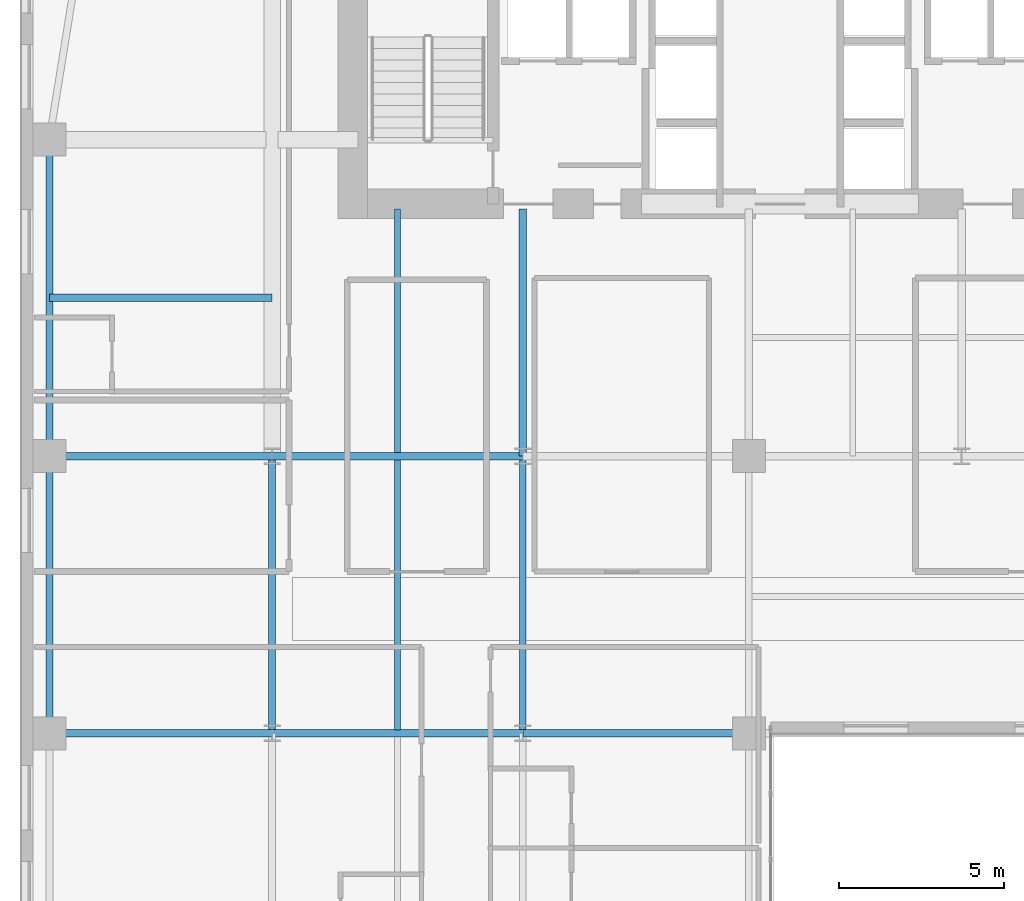
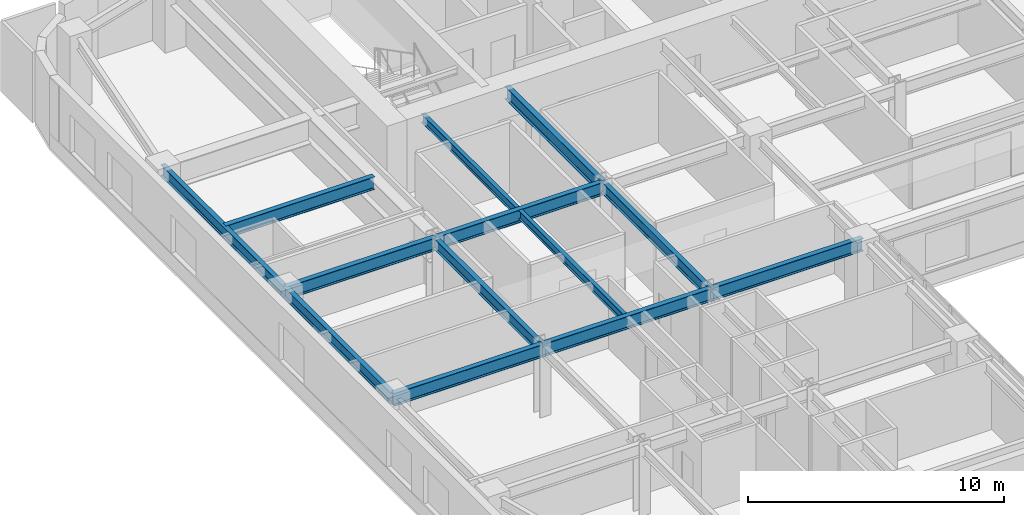
# One storey, part 4 of 24: 13 beams.
"""IFC4 building model written with IfcOpenShell, lengths in metres."""

from ifc_helpers import new_model, si_unit, direction, frame, origin, origin_2d, place, context, subcontext, project, spatial, i_section, extrude, source, transform, mapped, material, material_profile, profile_set, type_object, type_shapes, element, save


model = new_model("IFC4")

# Units and contexts
model_context = context("Model", 3, precision=1e-05, world=origin(), true_north=direction((0.0, 1.0)))
body_context = subcontext(model_context, "Body", "Model", "MODEL_VIEW")
ifc_project = project(units=[si_unit("LENGTHUNIT", "METRE"), si_unit("AREAUNIT", "SQUARE_METRE"), si_unit("VOLUMEUNIT", "CUBIC_METRE"), si_unit("PLANEANGLEUNIT", "RADIAN"), si_unit("MASSUNIT", "GRAM", prefix="KILO")], contexts=[model_context])

# Site, building, storey
site_placement = place(None, origin())
site = spatial("IfcSite", under=ifc_project, at=site_placement, CompositionType="ELEMENT")
building_placement = place(site_placement, origin())
building = spatial("IfcBuilding", under=site, at=building_placement, Name="Tolvann Quenvar Hotel", CompositionType="ELEMENT")
storey_placement = place(building_placement, frame((0.0, 0.0, 67.5)))
storey = spatial("IfcBuildingStorey", under=building, at=storey_placement, Name="L16", CompositionType="ELEMENT", Elevation=67.5)

# Beams
ifc_material = material(Name="Steel Grade 350", Category="steel")
ifc_material_profile_1 = material_profile(ifc_material, i_section(OverallWidth=0.22900390625, OverallDepth=0.612060546875, WebThickness=0.011962890625, FlangeThickness=0.01953125, FilletRadius=0.013916015625, at=origin_2d()), Name="610UB125")
ifc_profile_set_1 = profile_set([ifc_material_profile_1], Name="Steel Grade 350")
beam_type_1 = type_object("IfcBeamType", Name="BM_GIRD_610UB125", PredefinedType="BEAM", material=ifc_profile_set_1)
shared_shape_1 = source(origin(), body_context, "Body", "SweptSolid", [
    extrude(i_section(OverallWidth=0.22900390625, OverallDepth=0.612060546875, WebThickness=0.011962890625, FlangeThickness=0.01953125, FilletRadius=0.013916015625, at=origin_2d()), origin(), (0.0, 0.0, 1.0), 6.75),
])
for number, where, z_axis, x_axis, name in (
    (1, (0.85009765625, 16.0, 3.06396484375), (1.0, 0.0, 0.0), (0.0, 1.0, 0.0), "BM-L16-EW-4-B4-C4"),
    (2, (0.85009765625, 24.39990234375, 3.06396484375), (1.0, 0.0, 0.0), (0.0, 1.0, 0.0), "BM-L16-EW-5-B5-C5"),
    (3, (0.85009765625, 29.199951171875, 3.06396484375), (1.0, 0.0, 0.0), (0.0, 1.0, 0.0), "BM-L16-EW-BC29"),
):
    element("IfcBeam", number, at=place(storey_placement, frame(where, z_axis=z_axis, x_axis=x_axis)), inside=storey, type_object=beam_type_1, Name=name, PredefinedType="BEAM", context=body_context, shape_type="MappedRepresentation", body=[
        mapped(shared_shape_1, transform((0.0, 0.0, 0.0), x_axis=(1.0, 0.0, 0.0), y_axis=(0.0, 1.0, 0.0), z_axis=(0.0, 0.0, 1.0), scale=1.0)),
    ])
shared_shape_2 = source(origin(), body_context, "Body", "SweptSolid", [
    extrude(i_section(OverallWidth=0.22900390625, OverallDepth=0.612060546875, WebThickness=0.011962890625, FlangeThickness=0.01953125, FilletRadius=0.013916015625, at=origin_2d()), origin(), (0.0, 0.0, 1.0), 7.599853515625),
])
for number, where, z_axis, x_axis, name in (
    (4, (7.60009765625, 16.0, 3.06396484375), (1.0, 0.0, 0.0), (0.0, 1.0, 0.0), "BM-L16-EW-4-C4-D4"),
    (5, (7.60009765625, 24.39990234375, 3.06396484375), (1.0, 0.0, 0.0), (0.0, 1.0, 0.0), "BM-L16-EW-5-C5-D5"),
):
    element("IfcBeam", number, at=place(storey_placement, frame(where, z_axis=z_axis, x_axis=x_axis)), inside=storey, type_object=beam_type_1, Name=name, PredefinedType="BEAM", context=body_context, shape_type="MappedRepresentation", body=[
        mapped(shared_shape_2, transform((0.0, 0.0, 0.0), x_axis=(1.0, 0.0, 0.0), y_axis=(0.0, 1.0, 0.0), z_axis=(0.0, 0.0, 1.0), scale=1.0)),
    ])
shared_shape_3 = source(origin(), body_context, "Body", "SweptSolid", [
    extrude(i_section(OverallWidth=0.22900390625, OverallDepth=0.612060546875, WebThickness=0.011962890625, FlangeThickness=0.01953125, FilletRadius=0.013916015625, at=origin_2d()), origin(), (0.0, 0.0, 1.0), 6.85009765625),
])
beam_1_placement = place(storey_placement, frame((15.199951171875, 16.0, 3.06396484375), z_axis=(1.0, 0.0, 0.0), x_axis=(0.0, 1.0, 0.0)))
element("IfcBeam", 6, at=beam_1_placement, inside=storey, type_object=beam_type_1, Name="BM-L16-EW-4-D4-E4", PredefinedType="BEAM", context=body_context, shape_type="MappedRepresentation", body=[
    mapped(shared_shape_3, transform((0.0, 0.0, 0.0), x_axis=(1.0, 0.0, 0.0), y_axis=(0.0, 1.0, 0.0), z_axis=(0.0, 0.0, 1.0), scale=1.0)),
])
ifc_material_profile_2 = material_profile(ifc_material, i_section(OverallWidth=0.208984375, OverallDepth=0.528076171875, WebThickness=0.009521484375, FlangeThickness=0.01318359375, FilletRadius=0.013916015625, at=origin_2d()), Name="530UB82")
ifc_profile_set_2 = profile_set([ifc_material_profile_2], Name="Steel Grade 350")
beam_type_2 = type_object("IfcBeamType", Name="BM_SPAND_530UB82", PredefinedType="SPANDREL", material=ifc_profile_set_2)
shared_shape_4 = source(origin(), body_context, "Body", "SweptSolid", [
    extrude(i_section(OverallWidth=0.208984375, OverallDepth=0.528076171875, WebThickness=0.009521484375, FlangeThickness=0.01318359375, FilletRadius=0.013916015625, at=origin_2d()), origin(), (0.0, 0.0, 1.0), 8.39990234375),
])
beam_2_placement = place(storey_placement, frame((0.85009765625, 16.0, 3.10595703125), z_axis=(0.0, 1.0, 0.0), x_axis=(-1.0, 0.0, 0.0)))
element("IfcBeam", 7, at=beam_2_placement, inside=storey, type_object=beam_type_2, Name="BM-L16-NS-B4-B5", PredefinedType="SPANDREL", context=body_context, shape_type="MappedRepresentation", body=[
    mapped(shared_shape_4, transform((0.0, 0.0, 0.0), x_axis=(1.0, 0.0, 0.0), y_axis=(0.0, 1.0, 0.0), z_axis=(0.0, 0.0, 1.0), scale=1.0)),
])
ifc_material_profile_3 = material_profile(ifc_material, i_section(OverallWidth=0.208984375, OverallDepth=0.532958984375, WebThickness=0.01025390625, FlangeThickness=0.015625, FilletRadius=0.013916015625, at=origin_2d()), Name="530UB92")
ifc_profile_set_3 = profile_set([ifc_material_profile_3], Name="Steel Grade 350")
beam_type_3 = type_object("IfcBeamType", Name="BM_GIRD_530UB92", PredefinedType="BEAM", material=ifc_profile_set_3)
shared_shape_5 = source(origin(), body_context, "Body", "SweptSolid", [
    extrude(i_section(OverallWidth=0.208984375, OverallDepth=0.532958984375, WebThickness=0.01025390625, FlangeThickness=0.015625, FilletRadius=0.013916015625, at=origin_2d()), origin(), (0.0, 0.0, 1.0), 8.39990234375),
])
type_shapes(beam_type_3, [shared_shape_5])
for number, where, z_axis, x_axis, name in (
    (8, (7.60009765625, 16.0, 3.103515625), (0.0, 1.0, 0.0), (-1.0, 0.0, 0.0), "BM-L16-NS-C4-C5"),
    (9, (15.199951171875, 16.0, 3.103515625), (0.0, 1.0, 0.0), (-1.0, 0.0, 0.0), "BM-L16-NS-D4-D5"),
):
    element("IfcBeam", number, at=place(storey_placement, frame(where, z_axis=z_axis, x_axis=x_axis)), inside=storey, type_object=beam_type_3, Name=name, PredefinedType="BEAM", context=body_context, shape_type="MappedRepresentation", body=[
        mapped(shared_shape_5, transform((0.0, 0.0, 0.0), x_axis=(1.0, 0.0, 0.0), y_axis=(0.0, 1.0, 0.0), z_axis=(0.0, 0.0, 1.0), scale=1.0)),
    ])
shared_shape_6 = source(origin(), body_context, "Body", "SweptSolid", [
    extrude(i_section(OverallWidth=0.22900390625, OverallDepth=0.612060546875, WebThickness=0.011962890625, FlangeThickness=0.01953125, FilletRadius=0.013916015625, at=origin_2d()), origin(), (0.0, 0.0, 1.0), 7.5),
])
type_shapes(beam_type_1, [shared_shape_1, shared_shape_2, shared_shape_3, shared_shape_6])
beam_3_placement = place(storey_placement, frame((15.199951171875, 24.39990234375, 3.06396484375), z_axis=(0.0, 1.0, 0.0), x_axis=(-1.0, 0.0, 0.0)))
element("IfcBeam", 10, at=beam_3_placement, inside=storey, type_object=beam_type_1, Name="BM-L16-CORE-D5", PredefinedType="BEAM", context=body_context, shape_type="MappedRepresentation", body=[
    mapped(shared_shape_6, transform((0.0, 0.0, 0.0), x_axis=(1.0, 0.0, 0.0), y_axis=(0.0, 1.0, 0.0), z_axis=(0.0, 0.0, 1.0), scale=1.0)),
])
shared_shape_7 = source(origin(), body_context, "Body", "SweptSolid", [
    extrude(i_section(OverallWidth=0.208984375, OverallDepth=0.528076171875, WebThickness=0.009521484375, FlangeThickness=0.01318359375, FilletRadius=0.013916015625, at=origin_2d()), origin(), (0.0, 0.0, 1.0), 9.60009765625),
])
type_shapes(beam_type_2, [shared_shape_4, shared_shape_7])
beam_4_placement = place(storey_placement, frame((0.85009765625, 24.39990234375, 3.10595703125), z_axis=(0.0, 1.0, 0.0), x_axis=(-1.0, 0.0, 0.0)))
element("IfcBeam", 11, at=beam_4_placement, inside=storey, type_object=beam_type_2, Name="BM-L16-FLK-W1", PredefinedType="SPANDREL", context=body_context, shape_type="MappedRepresentation", body=[
    mapped(shared_shape_7, transform((0.0, 0.0, 0.0), x_axis=(1.0, 0.0, 0.0), y_axis=(0.0, 1.0, 0.0), z_axis=(0.0, 0.0, 1.0), scale=1.0)),
])
ifc_material_profile_4 = material_profile(ifc_material, i_section(OverallWidth=0.177978515625, OverallDepth=0.406005859375, WebThickness=0.0078125, FlangeThickness=0.0126953125, FilletRadius=0.011474609375, at=origin_2d()), Name="410UB60")
ifc_profile_set_4 = profile_set([ifc_material_profile_4], Name="Steel Grade 350")
beam_type_4 = type_object("IfcBeamType", Name="BM_JOIST_410UB60", PredefinedType="JOIST", material=ifc_profile_set_4)
shared_shape_8 = source(origin(), body_context, "Body", "SweptSolid", [
    extrude(i_section(OverallWidth=0.177978515625, OverallDepth=0.406005859375, WebThickness=0.0078125, FlangeThickness=0.0126953125, FilletRadius=0.011474609375, at=origin_2d()), origin(), (0.0, 0.0, 1.0), 8.18310546875),
])
beam_5_placement = place(storey_placement, frame((11.39990234375, 16.1083984375, 3.1669921875), z_axis=(0.0, 1.0, 0.0), x_axis=(-1.0, 0.0, 0.0)))
element("IfcBeam", 12, at=beam_5_placement, inside=storey, type_object=beam_type_4, Name="BJ-L16-114-160", PredefinedType="JOIST", context=body_context, shape_type="MappedRepresentation", body=[
    mapped(shared_shape_8, transform((0.0, 0.0, 0.0), x_axis=(1.0, 0.0, 0.0), y_axis=(0.0, 1.0, 0.0), z_axis=(0.0, 0.0, 1.0), scale=1.0)),
])
shared_shape_9 = source(origin(), body_context, "Body", "SweptSolid", [
    extrude(i_section(OverallWidth=0.177978515625, OverallDepth=0.406005859375, WebThickness=0.0078125, FlangeThickness=0.0126953125, FilletRadius=0.011474609375, at=origin_2d()), origin(), (0.0, 0.0, 1.0), 7.391357421875),
])
type_shapes(beam_type_4, [shared_shape_8, shared_shape_9])
beam_6_placement = place(storey_placement, frame((11.39990234375, 24.508544921875, 3.1669921875), z_axis=(0.0, 1.0, 0.0), x_axis=(-1.0, 0.0, 0.0)))
element("IfcBeam", 13, at=beam_6_placement, inside=storey, type_object=beam_type_4, Name="BJ-L16-114-244", PredefinedType="JOIST", context=body_context, shape_type="MappedRepresentation", body=[
    mapped(shared_shape_9, transform((0.0, 0.0, 0.0), x_axis=(1.0, 0.0, 0.0), y_axis=(0.0, 1.0, 0.0), z_axis=(0.0, 0.0, 1.0), scale=1.0)),
])

save(model, "model.ifc")
